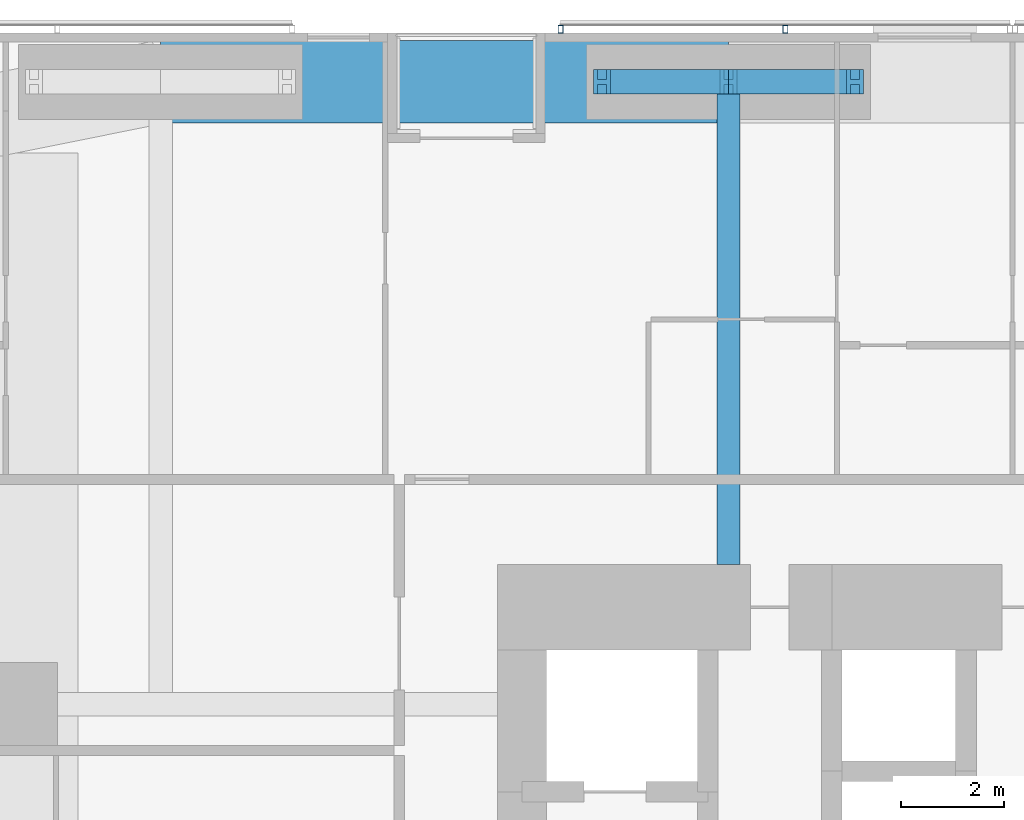
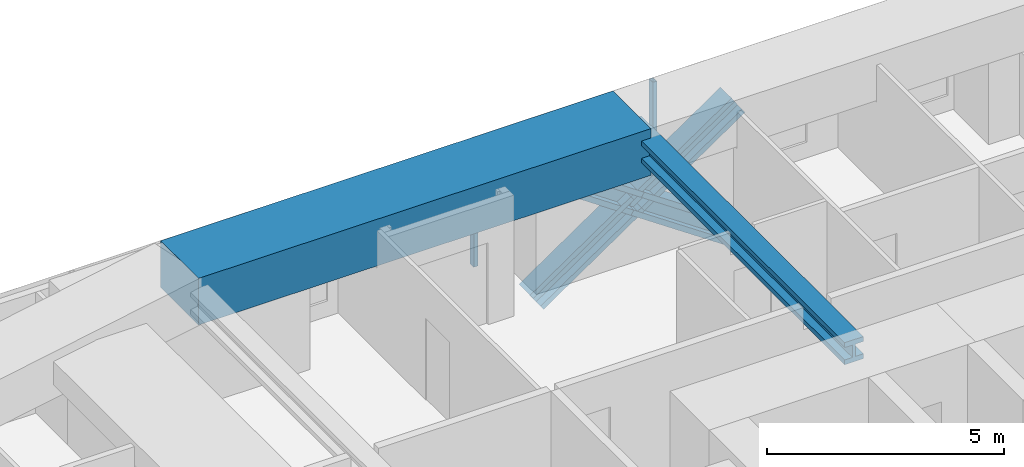
# One storey, part 13 of 24: 6 members, 2 beams, 1 element without a shape of its own.
"""IFC4 building model written with IfcOpenShell, lengths in metres."""

from ifc_helpers import new_model, si_unit, direction, frame, origin, origin_2d, place, context, subcontext, project, spatial, rectangle, hollow_rectangle, i_section, extrude, material, material_profile, profile_set, type_object, element, aggregate, save


model = new_model("IFC4")

# Units and contexts
model_context = context("Model", 3, precision=1e-05, world=origin(), true_north=direction((0.0, 1.0)))
body_context = subcontext(model_context, "Body", "Model", "MODEL_VIEW")
ifc_project = project(units=[si_unit("LENGTHUNIT", "METRE"), si_unit("AREAUNIT", "SQUARE_METRE"), si_unit("VOLUMEUNIT", "CUBIC_METRE"), si_unit("PLANEANGLEUNIT", "RADIAN"), si_unit("MASSUNIT", "GRAM", prefix="KILO")], contexts=[model_context])

# Site, building, storey
site_placement = place(None, origin())
site = spatial("IfcSite", under=ifc_project, at=site_placement, CompositionType="ELEMENT")
building_placement = place(site_placement, origin())
building = spatial("IfcBuilding", under=site, at=building_placement, Name="Jalousie Tower", CompositionType="ELEMENT")
storey_placement = place(building_placement, frame((0.0, 0.0, 57.85009765625)))
storey = spatial("IfcBuildingStorey", under=building, at=storey_placement, Name="L15", CompositionType="ELEMENT", Elevation=57.85009765625)

# Beam
ifc_material_1 = material(Name="Steel ASTM A992 Grade 50", Category="steel")
ifc_material_profile_1 = material_profile(ifc_material_1, i_section(OverallWidth=0.45458984375, OverallDepth=0.569091796875, WebThickness=0.077880859375, FlangeThickness=0.124755859375, at=origin_2d()), Name="W14X730")
ifc_profile_set_1 = profile_set([ifc_material_profile_1], Name="Steel ASTM A992 Grade 50")
beam_type_1 = type_object("IfcBeamType", Name="LEAN COLLECTOR W14X730", PredefinedType="BEAM", material=ifc_profile_set_1)
beam_1_placement = place(storey_placement, frame((24.0, 37.050048828125, 2.825439453125), z_axis=(0.0, -1.0, 0.0), x_axis=(1.0, 0.0, 0.0)))
element("IfcBeam", 1, at=beam_1_placement, inside=storey, type_object=beam_type_1, Name="Lean collector under L16", PredefinedType="BEAM", context=body_context, shape_type="SweptSolid", body=[
    extrude(i_section(OverallWidth=0.45458984375, OverallDepth=0.569091796875, WebThickness=0.077880859375, FlangeThickness=0.124755859375, at=origin_2d()), origin(), (0.0, 0.0, 1.0), 9.35009765625),
])

# Members
ifc_material_2 = material(Name="Steel ASTM A992 Grade 50", Category="steel")
ifc_material_profile_2 = material_profile(ifc_material_2, i_section(OverallWidth=0.472412109375, OverallDepth=0.5791015625, WebThickness=0.094970703125, FlangeThickness=0.1298828125, at=origin_2d()), Name="W14X808")
ifc_profile_set_2 = profile_set([ifc_material_profile_2], Name="Steel ASTM A992 Grade 50")
member_type_1 = type_object("IfcMemberType", Name="PERIMETER BRACE W14X808", PredefinedType="BRACE", material=ifc_profile_set_2)
for number, where, z_axis, x_axis, name in (
    (2, (21.550048828125, 37.050048828125, -0.60009765625), (0.825500916831, 0.0, 0.564400776321), (0.0, 1.0, 0.0), "Perimeter brace 10 L15 part 1"),
    (3, (24.0, 37.050048828125, 1.074951171875), (0.825500916831, 0.0, 0.564400776321), (0.0, 1.0, 0.0), "Perimeter brace 10 L15 part 2"),
    (4, (26.449951171875, 37.050048828125, -0.60009765625), (-0.825500916831, 0.0, 0.564400776321), (0.0, -1.0, 0.0), "Perimeter brace 10 L15 part 3"),
    (5, (24.0, 37.050048828125, 1.074951171875), (-0.825500916831, 0.0, 0.564400776321), (0.0, -1.0, 0.0), "Perimeter brace 10 L15 part 4"),
):
    element("IfcMember", number, at=place(storey_placement, frame(where, z_axis=z_axis, x_axis=x_axis)), inside=storey, type_object=member_type_1, Name=name, PredefinedType="BRACE", context=body_context, shape_type="SweptSolid", body=[
        extrude(i_section(OverallWidth=0.472412109375, OverallDepth=0.5791015625, WebThickness=0.094970703125, FlangeThickness=0.1298828125, at=origin_2d()), origin(), (0.0, 0.0, 1.0), 2.9677734375),
    ])

# Beam
ifc_material_3 = material(Name="Concrete f'c 40 MPa", Category="concrete")
ifc_material_profile_3 = material_profile(ifc_material_3, rectangle(XDim=1.60009765625, YDim=1.199951171875, at=origin_2d()), Name="RC 1600x1200")
ifc_profile_set_3 = profile_set([ifc_material_profile_3], Name="Concrete f'c 40 MPa")
beam_type_2 = type_object("IfcBeamType", Name="RC BEAM 1600x1200", PredefinedType="BEAM", material=ifc_profile_set_3)
beam_2_placement = place(storey_placement, frame((24.0, 37.050048828125, 2.75), z_axis=(-1.0, 0.0, 0.0), x_axis=(0.0, -1.0, 0.0)))
element("IfcBeam", 6, at=beam_2_placement, inside=storey, type_object=beam_type_2, Name="Edge band beam 10-11 under L16", PredefinedType="BEAM", context=body_context, shape_type="SweptSolid", body=[
    extrude(rectangle(XDim=1.60009765625, YDim=1.199951171875, at=origin_2d()), origin(), (0.0, 0.0, 1.0), 11.0),
])

# Curtain wall, members
ifc_material_4 = material(Name="Perforated aluminium sheet", Category="aluminium")
curtain_wall_type = type_object("IfcCurtainWallType", Name="SOLAR SCREEN SS-1", PredefinedType="USERDEFINED", material=ifc_material_4)
curtain_wall_placement = place(storey_placement, origin())
curtain_wall = element("IfcCurtainWall", 7, at=curtain_wall_placement, inside=storey, type_object=curtain_wall_type, Name="Solar screen L15", ObjectType="SOLAR SCREEN SS-1", PredefinedType="USERDEFINED")
ifc_material_5 = material(Name="Steel ASTM A500 Grade C", Category="steel")
ifc_material_profile_4 = material_profile(ifc_material_5, hollow_rectangle(XDim=0.1015625, YDim=0.15234375, WallThickness=0.00634765625, at=origin_2d()), Name="HSS6X4X1/4")
ifc_profile_set_4 = profile_set([ifc_material_profile_4], Name="Steel ASTM A500 Grade C")
member_type_2 = type_object("IfcMemberType", Name="SOLAR SCREEN SS-1 MULLION", PredefinedType="MULLION", material=ifc_profile_set_4)
member_1_placement = place(storey_placement, frame((25.10009765625, 38.0712890625, -0.1201171875), z_axis=(0.0, 0.0, 1.0), x_axis=(-1.0, 0.0, 0.0)))
member_1 = element("IfcMember", 8, at=member_1_placement, type_object=member_type_2, Name="SS1 post 2", PredefinedType="MULLION", context=body_context, shape_type="SweptSolid", body=[
    extrude(hollow_rectangle(XDim=0.1015625, YDim=0.15234375, WallThickness=0.00634765625, at=origin_2d()), origin(), (0.0, 0.0, 1.0), 3.22998046875),
])
member_2_placement = place(storey_placement, frame((20.75, 38.0712890625, -0.1201171875), z_axis=(0.0, 0.0, 1.0), x_axis=(-1.0, 0.0, 0.0)))
member_2 = element("IfcMember", 9, at=member_2_placement, type_object=member_type_2, Name="SS1 post 3", PredefinedType="MULLION", context=body_context, shape_type="SweptSolid", body=[
    extrude(hollow_rectangle(XDim=0.1015625, YDim=0.15234375, WallThickness=0.00634765625, at=origin_2d()), origin(), (0.0, 0.0, 1.0), 3.22998046875),
])
aggregate(curtain_wall, [member_1, member_2])

save(model, "model.ifc")
